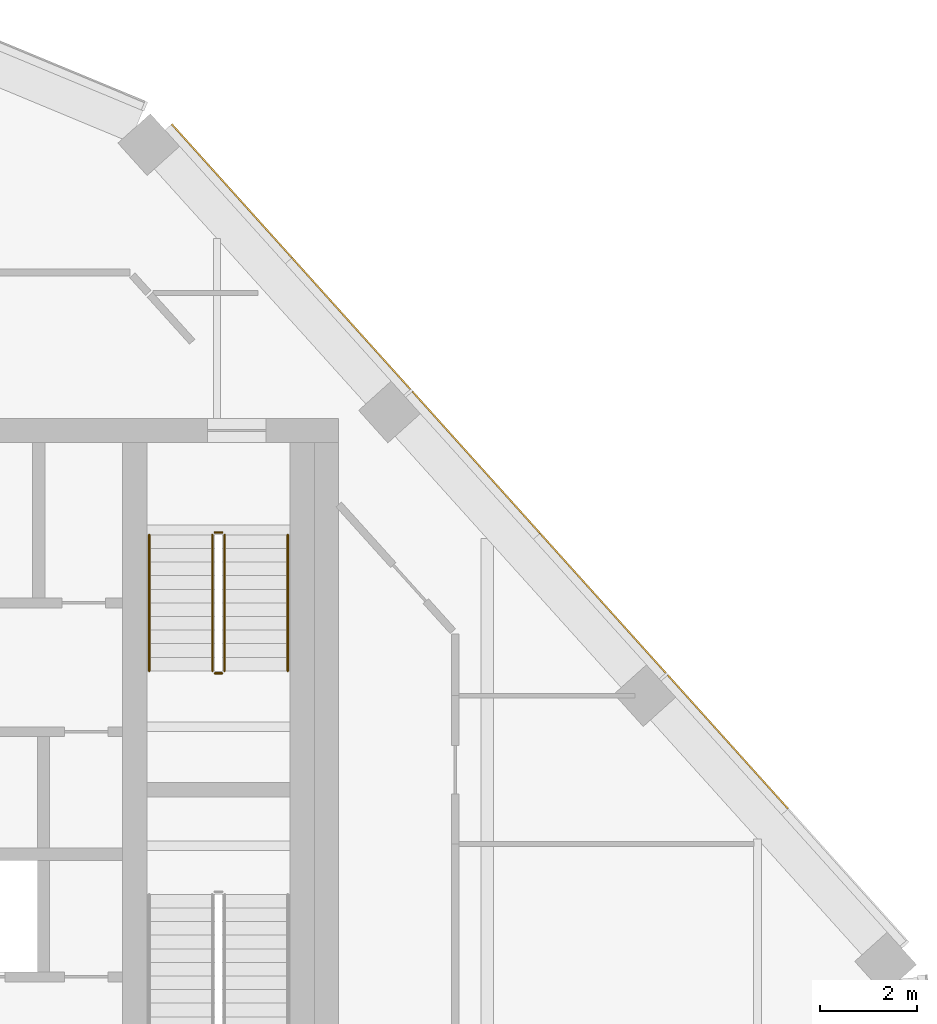
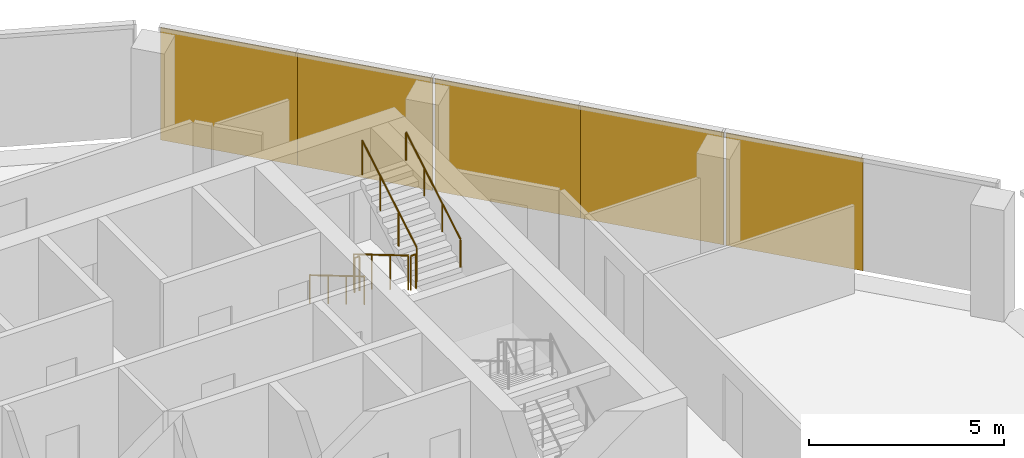
# One storey, part 15 of 15: 6 railings, 5 coverings, 1 element without a shape of its own.
"""IFC4 building model written with IfcOpenShell, lengths in metres."""

from ifc_helpers import new_model, si_unit, direction, frame, origin, origin_2d, place, context, subcontext, project, spatial, rectangle, circle, extrude, material, layer, layer_set, type_object, element, aggregate, save


model = new_model("IFC4")

# Units and contexts
model_context = context("Model", 3, precision=1e-05, world=origin(), true_north=direction((0.0, 1.0)))
body_context = subcontext(model_context, "Body", "Model", "MODEL_VIEW")
ifc_project = project(units=[si_unit("LENGTHUNIT", "METRE"), si_unit("AREAUNIT", "SQUARE_METRE"), si_unit("VOLUMEUNIT", "CUBIC_METRE"), si_unit("PLANEANGLEUNIT", "RADIAN"), si_unit("MASSUNIT", "GRAM", prefix="KILO")], contexts=[model_context])

# Site, building, storey
site_placement = place(None, origin())
site = spatial("IfcSite", under=ifc_project, at=site_placement, CompositionType="ELEMENT")
building_placement = place(site_placement, origin())
building = spatial("IfcBuilding", under=site, at=building_placement, Name="Isthmus Gate Tower", CompositionType="ELEMENT")
storey_placement = place(building_placement, frame((0.0, 0.0, 268.25)))
storey = spatial("IfcBuildingStorey", under=building, at=storey_placement, Name="L68", CompositionType="ELEMENT", Elevation=268.25)

# Curtain wall, coverings
ifc_material_1 = material(Name="Aluminium, pale champagne anodised", Category="aluminium")
ifc_layer_1 = layer(ifc_material_1, 0.199951171875)
ifc_layer_set_1 = layer_set([ifc_layer_1], Name="CW-1 UNITISED CURTAIN WALL 200 DEEP")
curtain_wall_type = type_object("IfcCurtainWallType", Name="CW-1 UNITISED CURTAIN WALL 200 DEEP", PredefinedType="NOTDEFINED", material=ifc_layer_set_1)
curtain_wall_placement = place(storey_placement, origin())
curtain_wall = element("IfcCurtainWall", 1, at=curtain_wall_placement, inside=storey, type_object=curtain_wall_type, Name="CW-1 NE L68", PredefinedType="NOTDEFINED")
ifc_material_2 = material(Name="Aluminium composite panel, pale champagne anodised", Category="aluminium")
ifc_layer_2 = layer(ifc_material_2, 0.031982421875)
ifc_layer_set_2 = layer_set([ifc_layer_2], Name="CW-1 PALE METAL PANEL 32")
covering_type = type_object("IfcCoveringType", Name="CW-1 PALE METAL PANEL 32", PredefinedType="CLADDING", material=ifc_layer_set_2)
covering_1_placement = place(storey_placement, frame((23.012939453125, 8.33837890625, 0.0), z_axis=(0.0, 0.0, 1.0), x_axis=(-0.669130606359, 0.743144825477, 0.0)))
covering_1 = element("IfcCovering", 2, at=covering_1_placement, type_object=covering_type, Name="CW-1 pale metal panel", PredefinedType="CLADDING", context=body_context, shape_type="SweptSolid", body=[
    extrude(rectangle(XDim=3.703369140625, YDim=0.031982421875, at=origin_2d()), origin(), (0.0, 0.0, 1.0), 3.52001953125),
])
covering_2_placement = place(storey_placement, frame((20.439453125, 11.196533203125, 0.0), z_axis=(0.0, 0.0, 1.0), x_axis=(-0.669130606359, 0.743144825477, 0.0)))
covering_2 = element("IfcCovering", 3, at=covering_2_placement, type_object=covering_type, Name="CW-1 pale metal panel", PredefinedType="CLADDING", context=body_context, shape_type="SweptSolid", body=[
    extrude(rectangle(XDim=3.868408203125, YDim=0.031982421875, at=origin_2d()), origin(), (0.0, 0.0, 1.0), 3.52001953125),
])
covering_3_placement = place(storey_placement, frame((17.8310546875, 14.093505859375, 0.0), z_axis=(0.0, 0.0, 1.0), x_axis=(-0.669130606359, 0.743144825477, 0.0)))
covering_3 = element("IfcCovering", 4, at=covering_3_placement, type_object=covering_type, Name="CW-1 pale metal panel", PredefinedType="CLADDING", context=body_context, shape_type="SweptSolid", body=[
    extrude(rectangle(XDim=3.928466796875, YDim=0.031982421875, at=origin_2d()), origin(), (0.0, 0.0, 1.0), 3.52001953125),
])
covering_4_placement = place(storey_placement, frame((15.257568359375, 16.95166015625, 0.0), z_axis=(0.0, 0.0, 1.0), x_axis=(-0.669130606359, 0.743144825477, 0.0)))
covering_4 = element("IfcCovering", 5, at=covering_4_placement, type_object=covering_type, Name="CW-1 pale metal panel", PredefinedType="CLADDING", context=body_context, shape_type="SweptSolid", body=[
    extrude(rectangle(XDim=3.643310546875, YDim=0.031982421875, at=origin_2d()), origin(), (0.0, 0.0, 1.0), 3.52001953125),
])
covering_5_placement = place(storey_placement, frame((12.799560546875, 19.681396484375, 0.0), z_axis=(0.0, 0.0, 1.0), x_axis=(-0.669130606359, 0.743144825477, 0.0)))
covering_5 = element("IfcCovering", 6, at=covering_5_placement, type_object=covering_type, Name="CW-1 pale metal panel", PredefinedType="CLADDING", context=body_context, shape_type="SweptSolid", body=[
    extrude(rectangle(XDim=3.703369140625, YDim=0.031982421875, at=origin_2d()), origin(), (0.0, 0.0, 1.0), 3.52001953125),
])
aggregate(curtain_wall, [covering_1, covering_2, covering_3, covering_4, covering_5])

# Railings
ifc_material_3 = material(Name="Stainless steel balustrade", Category="steel")
railing_type_1 = type_object("IfcRailingType", Name="STAIR GUARD 1100", PredefinedType="GUARDRAIL", material=ifc_material_3)
railing_1_placement = place(storey_placement, frame((12.39990234375, 12.60009765625, 0.166015625)))
element("IfcRailing", 7, at=railing_1_placement, inside=storey, type_object=railing_type_1, Name="L68 ST2 stair guard 1", PredefinedType="GUARDRAIL", context=body_context, shape_type="SweptSolid", body=[
    extrude(circle(Radius=0.02392578125, at=origin_2d()), frame((0.0, 0.0, 1.076171875), z_axis=(0.0, -0.860339051648, 0.50972219513), x_axis=(1.0, 0.0, 0.0)), (0.0, 0.0, 1.0), 3.254638671875),
    extrude(circle(Radius=0.02099609375, at=origin_2d()), origin(), (0.0, 0.0, 1.0), 1.052001953125),
    extrude(circle(Radius=0.02099609375, at=origin_2d()), frame((0.0, -0.933349609375, 0.552978515625)), (0.0, 0.0, 1.0), 1.052001953125),
    extrude(circle(Radius=0.02099609375, at=origin_2d()), frame((0.0, -1.86669921875, 1.10595703125)), (0.0, 0.0, 1.0), 1.052001953125),
    extrude(circle(Radius=0.02099609375, at=origin_2d()), frame((0.0, -2.800048828125, 1.658935546875)), (0.0, 0.0, 1.0), 1.052001953125),
])
railing_2_placement = place(storey_placement, frame((12.449951171875, 9.75, 1.824951171875)))
element("IfcRailing", 8, at=railing_2_placement, inside=storey, type_object=railing_type_1, Name="L68 ST2 stair guard 2", PredefinedType="GUARDRAIL", context=body_context, shape_type="SweptSolid", body=[
    extrude(circle(Radius=0.02392578125, at=origin_2d()), frame((0.0, 0.0, 1.076171875), z_axis=(1.0, 0.0, 0.0), x_axis=(0.0, 1.0, 0.0)), (0.0, 0.0, 1.0), 0.150146484375),
    extrude(circle(Radius=0.02099609375, at=origin_2d()), origin(), (0.0, 0.0, 1.0), 1.052001953125),
    extrude(circle(Radius=0.02099609375, at=origin_2d()), frame((0.150146484375, 0.0, 0.0)), (0.0, 0.0, 1.0), 1.052001953125),
])
railing_3_placement = place(storey_placement, frame((12.64990234375, 9.800048828125, 1.990966796875)))
element("IfcRailing", 9, at=railing_3_placement, inside=storey, type_object=railing_type_1, Name="L68 ST2 stair guard 3", PredefinedType="GUARDRAIL", context=body_context, shape_type="SweptSolid", body=[
    extrude(circle(Radius=0.02392578125, at=origin_2d()), frame((0.0, 0.0, 1.076171875), z_axis=(0.0, 0.860339051648, 0.50972219513), x_axis=(-1.0, 0.0, 0.0)), (0.0, 0.0, 1.0), 3.254638671875),
    extrude(circle(Radius=0.02099609375, at=origin_2d()), origin(), (0.0, 0.0, 1.0), 1.052001953125),
    extrude(circle(Radius=0.02099609375, at=origin_2d()), frame((0.0, 0.933349609375, 0.552978515625)), (0.0, 0.0, 1.0), 1.052001953125),
    extrude(circle(Radius=0.02099609375, at=origin_2d()), frame((0.0, 1.86669921875, 1.10595703125)), (0.0, 0.0, 1.0), 1.052001953125),
    extrude(circle(Radius=0.02099609375, at=origin_2d()), frame((0.0, 2.800048828125, 1.658935546875)), (0.0, 0.0, 1.0), 1.052001953125),
])
railing_4_placement = place(storey_placement, frame((12.449951171875, 12.64990234375, 0.0)))
element("IfcRailing", 10, at=railing_4_placement, inside=storey, type_object=railing_type_1, Name="L68 ST2 stair guard 4", PredefinedType="GUARDRAIL", context=body_context, shape_type="SweptSolid", body=[
    extrude(circle(Radius=0.02392578125, at=origin_2d()), frame((0.0, 0.0, 1.076171875), z_axis=(1.0, 0.0, 0.0), x_axis=(0.0, 1.0, 0.0)), (0.0, 0.0, 1.0), 0.150146484375),
    extrude(circle(Radius=0.02099609375, at=origin_2d()), origin(), (0.0, 0.0, 1.0), 1.052001953125),
    extrude(circle(Radius=0.02099609375, at=origin_2d()), frame((0.150146484375, 0.0, 0.0)), (0.0, 0.0, 1.0), 1.052001953125),
])
ifc_material_4 = material(Name="Stainless steel handrail", Category="steel")
railing_type_2 = type_object("IfcRailingType", Name="STAIR HANDRAIL 900", PredefinedType="HANDRAIL", material=ifc_material_4)
railing_5_placement = place(storey_placement, frame((11.10009765625, 12.60009765625, 0.166015625)))
element("IfcRailing", 11, at=railing_5_placement, inside=storey, type_object=railing_type_2, Name="L68 ST2 stair handrail 1", PredefinedType="HANDRAIL", context=body_context, shape_type="SweptSolid", body=[
    extrude(circle(Radius=0.02392578125, at=origin_2d()), frame((0.0, 0.0, 0.8759765625), z_axis=(0.0, -0.860339051648, 0.50972219513), x_axis=(1.0, 0.0, 0.0)), (0.0, 0.0, 1.0), 3.254638671875),
    extrude(circle(Radius=0.02099609375, at=origin_2d()), origin(), (0.0, 0.0, 1.0), 0.851806640625),
    extrude(circle(Radius=0.02099609375, at=origin_2d()), frame((0.0, -0.933349609375, 0.552978515625)), (0.0, 0.0, 1.0), 0.851806640625),
    extrude(circle(Radius=0.02099609375, at=origin_2d()), frame((0.0, -1.86669921875, 1.10595703125)), (0.0, 0.0, 1.0), 0.851806640625),
    extrude(circle(Radius=0.02099609375, at=origin_2d()), frame((0.0, -2.800048828125, 1.658935546875)), (0.0, 0.0, 1.0), 0.851806640625),
])
railing_6_placement = place(storey_placement, frame((13.949951171875, 9.800048828125, 1.990966796875)))
element("IfcRailing", 12, at=railing_6_placement, inside=storey, type_object=railing_type_2, Name="L68 ST2 stair handrail 2", PredefinedType="HANDRAIL", context=body_context, shape_type="SweptSolid", body=[
    extrude(circle(Radius=0.02392578125, at=origin_2d()), frame((0.0, 0.0, 0.8759765625), z_axis=(0.0, 0.860339051648, 0.50972219513), x_axis=(-1.0, 0.0, 0.0)), (0.0, 0.0, 1.0), 3.254638671875),
    extrude(circle(Radius=0.02099609375, at=origin_2d()), origin(), (0.0, 0.0, 1.0), 0.851806640625),
    extrude(circle(Radius=0.02099609375, at=origin_2d()), frame((0.0, 0.933349609375, 0.552978515625)), (0.0, 0.0, 1.0), 0.851806640625),
    extrude(circle(Radius=0.02099609375, at=origin_2d()), frame((0.0, 1.86669921875, 1.10595703125)), (0.0, 0.0, 1.0), 0.851806640625),
    extrude(circle(Radius=0.02099609375, at=origin_2d()), frame((0.0, 2.800048828125, 1.658935546875)), (0.0, 0.0, 1.0), 0.851806640625),
])

save(model, "model.ifc")
